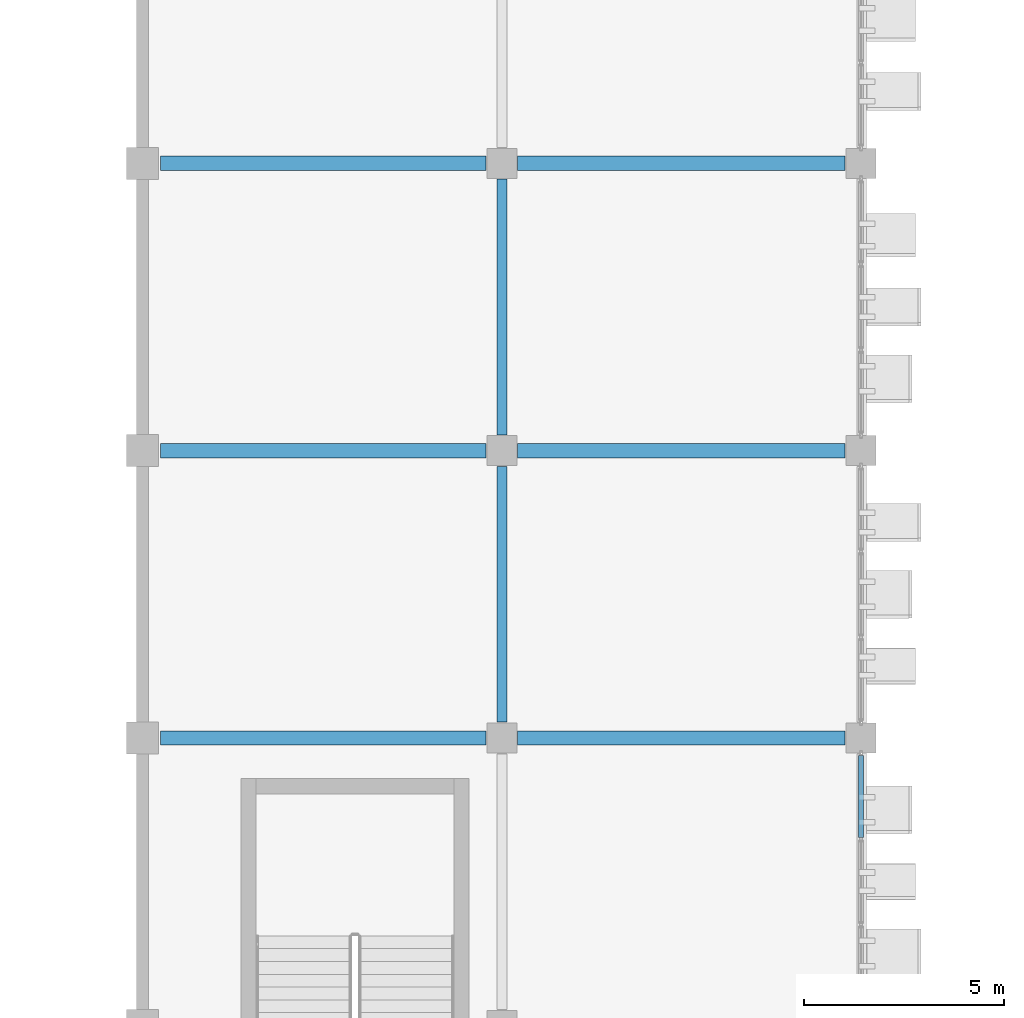
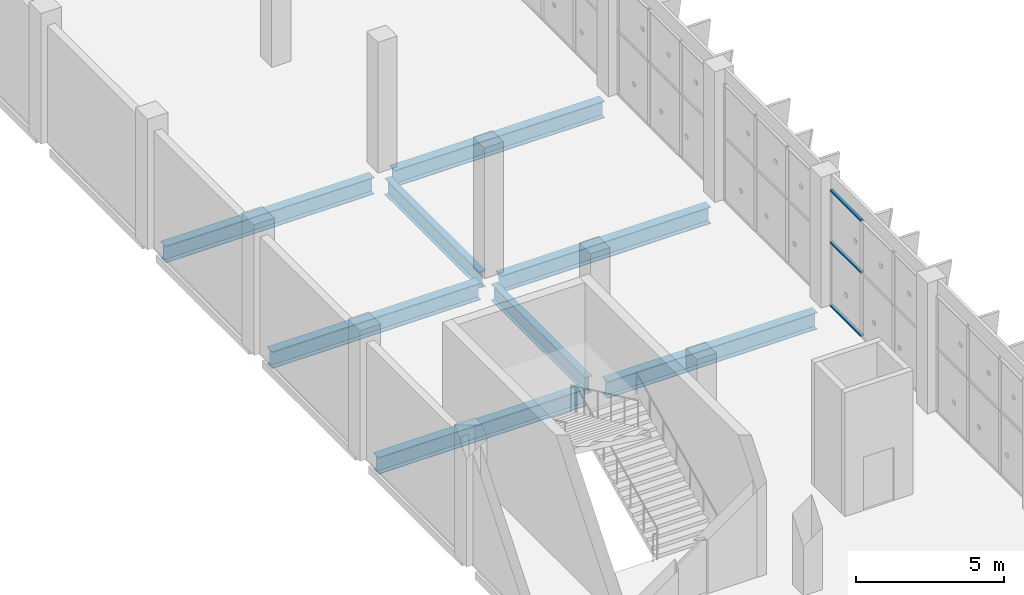
# One storey, part 68 of 189: 8 beams, 3 members, 1 element without a shape of its own.
"""IFC4 building model written with IfcOpenShell, lengths in metres."""

from ifc_helpers import new_model, si_unit, direction, frame, origin, origin_2d, place, context, subcontext, project, spatial, hollow_rectangle, i_section, extrude, material, layer, layer_set, material_profile, profile_set, type_object, element, aggregate, save


model = new_model("IFC4")

# Units and contexts
model_context = context("Model", 3, precision=1e-05, world=origin(), true_north=direction((0.0, 1.0)))
body_context = subcontext(model_context, "Body", "Model", "MODEL_VIEW")
ifc_project = project(units=[si_unit("LENGTHUNIT", "METRE"), si_unit("AREAUNIT", "SQUARE_METRE"), si_unit("VOLUMEUNIT", "CUBIC_METRE"), si_unit("PLANEANGLEUNIT", "RADIAN"), si_unit("MASSUNIT", "GRAM", prefix="KILO")], contexts=[model_context])

# Site, building, storey
site_placement = place(None, origin())
site = spatial("IfcSite", under=ifc_project, at=site_placement, CompositionType="ELEMENT")
building_placement = place(site_placement, origin())
building = spatial("IfcBuilding", under=site, at=building_placement, Name="Celestram Park Convention Centre", CompositionType="ELEMENT")
storey_placement = place(building_placement, frame((0.0, 0.0, 5.39990234375)))
storey = spatial("IfcBuildingStorey", under=building, at=storey_placement, Name="L01", CompositionType="ELEMENT", Elevation=5.39990234375)

# Curtain wall, members
ifc_material_1 = material(Name="Anodised Aluminium Alloy 6063-T6", Category="aluminium")
ifc_layer = layer(ifc_material_1, 0.179931640625)
ifc_layer_set = layer_set([ifc_layer], Name="Anodised Aluminium Alloy 6063-T6")
curtain_wall_type = type_object("IfcCurtainWallType", Name="ARC-CW-645X482", PredefinedType="NOTDEFINED", material=ifc_layer_set)
curtain_wall_placement = place(storey_placement, origin())
curtain_wall = element("IfcCurtainWall", 1, at=curtain_wall_placement, inside=storey, type_object=curtain_wall_type, Name="Unitised curtain wall CU-L01-094", PredefinedType="NOTDEFINED")
ifc_material_profile_1 = material_profile(ifc_material_1, hollow_rectangle(XDim=0.1201171875, YDim=0.06005859375, WallThickness=0.0029296875, at=origin_2d()), Name="ALU120X60X3")
ifc_profile_set_1 = profile_set([ifc_material_profile_1], Name="Anodised Aluminium Alloy 6063-T6")
member_type = type_object("IfcMemberType", Name="ARC-CWT-120", PredefinedType="USERDEFINED", material=ifc_profile_set_1)
member_1_placement = place(storey_placement, frame((144.0, 64.362060546875, 0.030029296875), z_axis=(0.0, -1.0, 0.0), x_axis=(1.0, 0.0, 0.0)))
member_1 = element("IfcMember", 2, at=member_1_placement, type_object=member_type, Name="CW-64X48 transom 1.1", ObjectType="TRANSOM", PredefinedType="USERDEFINED", context=body_context, shape_type="SweptSolid", body=[
    extrude(hollow_rectangle(XDim=0.1201171875, YDim=0.06005859375, WallThickness=0.0029296875, at=origin_2d()), origin(), (0.0, 0.0, 1.0), 2.053955078125),
])
member_2_placement = place(storey_placement, frame((144.0, 64.362060546875, 2.650146484375), z_axis=(0.0, -1.0, 0.0), x_axis=(1.0, 0.0, 0.0)))
member_2 = element("IfcMember", 3, at=member_2_placement, type_object=member_type, Name="CW-64X48 transom 1.2", ObjectType="TRANSOM", PredefinedType="USERDEFINED", context=body_context, shape_type="SweptSolid", body=[
    extrude(hollow_rectangle(XDim=0.1201171875, YDim=0.06005859375, WallThickness=0.0029296875, at=origin_2d()), origin(), (0.0, 0.0, 1.0), 2.053955078125),
])
member_3_placement = place(storey_placement, frame((144.0, 64.362060546875, 4.7900390625), z_axis=(0.0, -1.0, 0.0), x_axis=(1.0, 0.0, 0.0)))
member_3 = element("IfcMember", 4, at=member_3_placement, type_object=member_type, Name="CW-64X48 transom 1.3", ObjectType="TRANSOM", PredefinedType="USERDEFINED", context=body_context, shape_type="SweptSolid", body=[
    extrude(hollow_rectangle(XDim=0.1201171875, YDim=0.06005859375, WallThickness=0.0029296875, at=origin_2d()), origin(), (0.0, 0.0, 1.0), 2.053955078125),
])
aggregate(curtain_wall, [member_1, member_2, member_3])

# Beams
ifc_material_2 = material(Name="Steel ASTM A992 Grade 50", Category="steel")
ifc_material_profile_2 = material_profile(ifc_material_2, i_section(OverallWidth=0.35595703125, OverallDepth=0.696044921875, WebThickness=0.015380859375, FlangeThickness=0.02490234375, at=origin_2d()), Name="W27X146")
ifc_profile_set_2 = profile_set([ifc_material_profile_2], Name="Steel ASTM A992 Grade 50")
beam_type_1 = type_object("IfcBeamType", Name="STR-BM-W27X146", PredefinedType="BEAM", material=ifc_profile_set_2)
for number, where, z_axis, x_axis, name in (
    (5, (126.447998046875, 64.800048828125, -0.6279296875), (1.0, 0.0, 0.0), (0.0, 1.0, 0.0), "Primary X-girder BG-L01-0259"),
    (6, (126.447998046875, 72.0, -0.6279296875), (1.0, 0.0, 0.0), (0.0, 1.0, 0.0), "Primary X-girder BG-L01-0261"),
    (7, (126.447998046875, 79.199951171875, -0.6279296875), (1.0, 0.0, 0.0), (0.0, 1.0, 0.0), "Primary X-girder BG-L01-0263"),
):
    element("IfcBeam", number, at=place(storey_placement, frame(where, z_axis=z_axis, x_axis=x_axis)), inside=storey, type_object=beam_type_1, Name=name, PredefinedType="BEAM", context=body_context, shape_type="SweptSolid", body=[
        extrude(i_section(OverallWidth=0.35595703125, OverallDepth=0.696044921875, WebThickness=0.015380859375, FlangeThickness=0.02490234375, at=origin_2d()), origin(), (0.0, 0.0, 1.0), 8.154052734375),
    ])
for number, where, z_axis, x_axis, name in (
    (8, (135.39794921875, 64.800048828125, -0.6279296875), (1.0, 0.0, 0.0), (0.0, 1.0, 0.0), "Primary X-girder BG-L01-0298"),
    (9, (135.39794921875, 72.0, -0.6279296875), (1.0, 0.0, 0.0), (0.0, 1.0, 0.0), "Primary X-girder BG-L01-0300"),
    (10, (135.39794921875, 79.199951171875, -0.6279296875), (1.0, 0.0, 0.0), (0.0, 1.0, 0.0), "Primary X-girder BG-L01-0302"),
):
    element("IfcBeam", number, at=place(storey_placement, frame(where, z_axis=z_axis, x_axis=x_axis)), inside=storey, type_object=beam_type_1, Name=name, PredefinedType="BEAM", context=body_context, shape_type="SweptSolid", body=[
        extrude(i_section(OverallWidth=0.35595703125, OverallDepth=0.696044921875, WebThickness=0.015380859375, FlangeThickness=0.02490234375, at=origin_2d()), origin(), (0.0, 0.0, 1.0), 8.2041015625),
    ])
ifc_material_profile_3 = material_profile(ifc_material_2, i_section(OverallWidth=0.25390625, OverallDepth=0.68310546875, WebThickness=0.012451171875, FlangeThickness=0.01904296875, at=origin_2d()), Name="W27X94")
ifc_profile_set_3 = profile_set([ifc_material_profile_3], Name="Steel ASTM A992 Grade 50")
beam_type_2 = type_object("IfcBeamType", Name="STR-BM-W27X94", PredefinedType="BEAM", material=ifc_profile_set_3)
for number, where, z_axis, x_axis, name in (
    (11, (135.0, 65.197998046875, -0.621337890625), (0.0, 1.0, 0.0), (-1.0, 0.0, 0.0), "Primary Y-girder BG-L01-0299"),
    (12, (135.0, 72.39794921875, -0.621337890625), (0.0, 1.0, 0.0), (-1.0, 0.0, 0.0), "Primary Y-girder BG-L01-0301"),
):
    element("IfcBeam", number, at=place(storey_placement, frame(where, z_axis=z_axis, x_axis=x_axis)), inside=storey, type_object=beam_type_2, Name=name, PredefinedType="BEAM", context=body_context, shape_type="SweptSolid", body=[
        extrude(i_section(OverallWidth=0.25390625, OverallDepth=0.68310546875, WebThickness=0.012451171875, FlangeThickness=0.01904296875, at=origin_2d()), origin(), (0.0, 0.0, 1.0), 6.404052734375),
    ])

save(model, "model.ifc")
